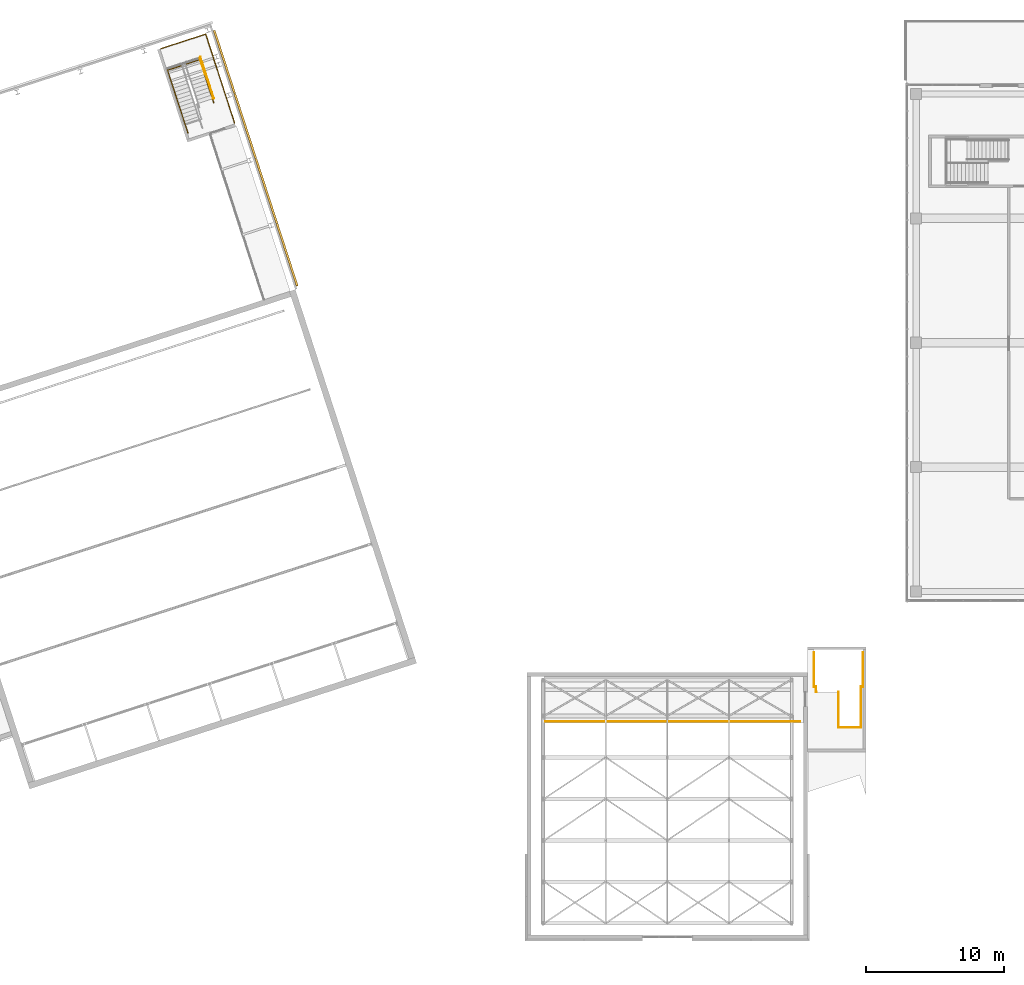
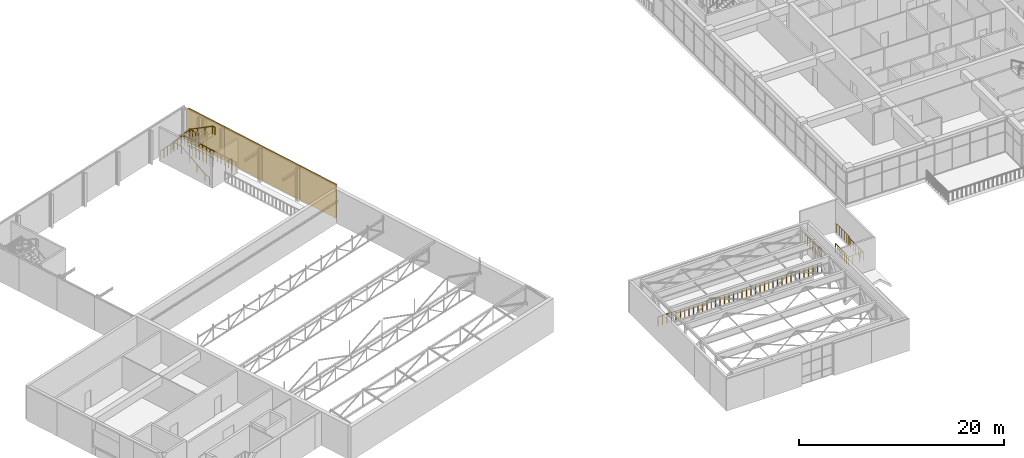
# One storey, part 79 of 81: 8 railings, 4 coverings.
"""IFC4 building model written with IfcOpenShell, lengths in metres."""

from ifc_helpers import new_model, si_unit, direction, frame, origin, origin_2d, place, context, subcontext, project, spatial, polyline, circle, outline, extrude, material, layer, layer_set, type_object, element, save


model = new_model("IFC4")

# Units and contexts
model_context = context("Model", 3, precision=1e-05, world=origin(), true_north=direction((0.0, 1.0)))
body_context = subcontext(model_context, "Body", "Model", "MODEL_VIEW")
ifc_project = project(units=[si_unit("LENGTHUNIT", "METRE"), si_unit("AREAUNIT", "SQUARE_METRE"), si_unit("VOLUMEUNIT", "CUBIC_METRE"), si_unit("PLANEANGLEUNIT", "RADIAN"), si_unit("MASSUNIT", "GRAM", prefix="KILO")], contexts=[model_context])

# Site, building, storey
site_placement = place(None, origin())
site = spatial("IfcSite", under=ifc_project, at=site_placement, CompositionType="ELEMENT")
building_placement = place(site_placement, origin())
building = spatial("IfcBuilding", under=site, at=building_placement, Name="Tuart Plaza Theatre", CompositionType="ELEMENT")
storey_placement = place(building_placement, frame((0.0, 0.0, 17.5)))
storey = spatial("IfcBuildingStorey", under=building, at=storey_placement, Name="L04", CompositionType="ELEMENT", Elevation=17.5)

# Coverings
ifc_material_1 = material(Name="Zinc")
ifc_layer = layer(ifc_material_1, 0.14990234375)
ifc_layer_set = layer_set([ifc_layer], Name="COVERING-ZINC-RAINSCREEN150")
covering_type = type_object("IfcCoveringType", Name="COVERING-ZINC-RAINSCREEN150", PredefinedType="CLADDING", material=ifc_layer_set)
covering_1_placement = place(storey_placement, origin())
element("IfcCovering", 1, at=covering_1_placement, inside=storey, type_object=covering_type, Name="CL26", PredefinedType="CLADDING", context=body_context, shape_type="SweptSolid", body=[
    extrude(outline(polyline([(69.151611328125, 78.084228515625), (67.68701171875, 82.59228515625), (67.82958984375, 82.638671875), (69.29443359375, 78.130615234375), (69.151611328125, 78.084228515625)])), origin(), (0.0, 0.0, 1.0), 4.0),
])
covering_2_placement = place(storey_placement, origin())
element("IfcCovering", 2, at=covering_2_placement, inside=storey, type_object=covering_type, Name="CL27", PredefinedType="CLADDING", context=body_context, shape_type="SweptSolid", body=[
    extrude(outline(polyline([(67.680908203125, 82.611328125), (66.1572265625, 87.300048828125), (66.300048828125, 87.346435546875), (67.823486328125, 82.65771484375), (67.680908203125, 82.611328125)])), origin(), (0.0, 0.0, 1.0), 4.0),
])
covering_3_placement = place(storey_placement, origin())
element("IfcCovering", 3, at=covering_3_placement, inside=storey, type_object=covering_type, Name="CL28", PredefinedType="CLADDING", context=body_context, shape_type="SweptSolid", body=[
    extrude(outline(polyline([(66.151123046875, 87.319091796875), (64.627685546875, 92.0078125), (64.770263671875, 92.05419921875), (66.293701171875, 87.365478515625), (66.151123046875, 87.319091796875)])), origin(), (0.0, 0.0, 1.0), 4.0),
])
covering_4_placement = place(storey_placement, origin())
element("IfcCovering", 4, at=covering_4_placement, inside=storey, type_object=covering_type, Name="CL29", PredefinedType="CLADDING", context=body_context, shape_type="SweptSolid", body=[
    extrude(outline(polyline([(64.62158203125, 92.02685546875), (63.141357421875, 96.582275390625), (63.283935546875, 96.628662109375), (64.76416015625, 92.072998046875), (64.62158203125, 92.02685546875)])), origin(), (0.0, 0.0, 1.0), 4.0),
])

# Railings
ifc_material_2 = material(Name="Steel Grade C350L0", Category="steel")
railing_type_1 = type_object("IfcRailingType", Name="RAILING Guard 1100", PredefinedType="GUARDRAIL", material=ifc_material_2)
railing_1_placement = place(storey_placement, frame((62.21435546875, 94.661865234375, 0.0)))
element("IfcRailing", 5, at=railing_1_placement, inside=storey, type_object=railing_type_1, Name="GR84", PredefinedType="GUARDRAIL", context=body_context, shape_type="SweptSolid", body=[
    extrude(circle(Radius=0.02490234375, at=origin_2d()), frame((0.0, 0.0, 1.0751953125), z_axis=(0.30901175762, -0.951058217804, 0.0), x_axis=(0.951058217804, 0.30901175762, 0.0)), (0.0, 0.0, 1.0), 3.119873046875),
    extrude(circle(Radius=0.02490234375, at=origin_2d()), frame((0.964111328125, -2.96728515625, 1.0751953125), z_axis=(-0.950834228174, -0.309700291463, 0.0), x_axis=(0.309700291463, -0.950834228174, 0.0)), (0.0, 0.0, 1.0), 0.044921875),
    extrude(circle(Radius=0.02001953125, at=origin_2d()), origin(), (0.0, 0.0, 1.0), 1.050048828125),
    extrude(circle(Radius=0.02001953125, at=origin_2d()), frame((0.1376953125, -0.423828125, 0.0)), (0.0, 0.0, 1.0), 1.050048828125),
    extrude(circle(Radius=0.02001953125, at=origin_2d()), frame((0.275390625, -0.847900390625, 0.0)), (0.0, 0.0, 1.0), 1.050048828125),
    extrude(circle(Radius=0.02001953125, at=origin_2d()), frame((0.4130859375, -1.271728515625, 0.0)), (0.0, 0.0, 1.0), 1.050048828125),
    extrude(circle(Radius=0.02001953125, at=origin_2d()), frame((0.551025390625, -1.695556640625, 0.0)), (0.0, 0.0, 1.0), 1.050048828125),
    extrude(circle(Radius=0.02001953125, at=origin_2d()), frame((0.688720703125, -2.119384765625, 0.0)), (0.0, 0.0, 1.0), 1.050048828125),
    extrude(circle(Radius=0.02001953125, at=origin_2d()), frame((0.826416015625, -2.54345703125, 0.0)), (0.0, 0.0, 1.0), 1.050048828125),
    extrude(circle(Radius=0.02001953125, at=origin_2d()), frame((0.964111328125, -2.96728515625, 0.0)), (0.0, 0.0, 1.0), 1.050048828125),
    extrude(circle(Radius=0.02001953125, at=origin_2d()), frame((0.92138671875, -2.981201171875, 0.0)), (0.0, 0.0, 1.0), 1.050048828125),
])
railing_2_placement = place(storey_placement, frame((62.182373046875, 94.598876953125, 2.0)))
element("IfcRailing", 6, at=railing_2_placement, inside=storey, type_object=railing_type_1, Name="GR91", PredefinedType="GUARDRAIL", context=body_context, shape_type="SweptSolid", body=[
    extrude(circle(Radius=0.02490234375, at=origin_2d()), frame((0.0, 0.0, 1.0751953125), z_axis=(0.309072606719, -0.951038444952, 0.0), x_axis=(0.951038444952, 0.309072606719, 0.0)), (0.0, 0.0, 1.0), 1.22998046875),
    extrude(circle(Radius=0.02001953125, at=origin_2d()), origin(), (0.0, 0.0, 1.0), 1.050048828125),
    extrude(circle(Radius=0.02001953125, at=origin_2d()), frame((0.126708984375, -0.389892578125, 0.0)), (0.0, 0.0, 1.0), 1.050048828125),
    extrude(circle(Radius=0.02001953125, at=origin_2d()), frame((0.25341796875, -0.77978515625, 0.0)), (0.0, 0.0, 1.0), 1.050048828125),
    extrude(circle(Radius=0.02001953125, at=origin_2d()), frame((0.380126953125, -1.169677734375, 0.0)), (0.0, 0.0, 1.0), 1.050048828125),
])
railing_3_placement = place(storey_placement, frame((64.69384765625, 89.894775390625, 0.0)))
element("IfcRailing", 7, at=railing_3_placement, inside=storey, type_object=railing_type_1, Name="GR106", PredefinedType="GUARDRAIL", context=body_context, shape_type="SweptSolid", body=[
    extrude(circle(Radius=0.02490234375, at=origin_2d()), frame((0.0, 0.0, 1.0751953125), z_axis=(-0.309029765674, 0.951052366554, 0.0), x_axis=(-0.951052366554, -0.309029765674, 0.0)), (0.0, 0.0, 1.0), 6.764892578125),
    extrude(circle(Radius=0.02490234375, at=origin_2d()), frame((-2.090576171875, 6.433837890625, 1.0751953125), z_axis=(-0.951065061555, -0.308990693531, 0.0), x_axis=(0.308990693531, -0.951065061555, 0.0)), (0.0, 0.0, 1.0), 3.414794921875),
    extrude(circle(Radius=0.02001953125, at=origin_2d()), origin(), (0.0, 0.0, 1.0), 1.050048828125),
    extrude(circle(Radius=0.02001953125, at=origin_2d()), frame((-0.1494140625, 0.45947265625, 0.0)), (0.0, 0.0, 1.0), 1.050048828125),
    extrude(circle(Radius=0.02001953125, at=origin_2d()), frame((-0.298583984375, 0.919189453125, 0.0)), (0.0, 0.0, 1.0), 1.050048828125),
    extrude(circle(Radius=0.02001953125, at=origin_2d()), frame((-0.447998046875, 1.378662109375, 0.0)), (0.0, 0.0, 1.0), 1.050048828125),
    extrude(circle(Radius=0.02001953125, at=origin_2d()), frame((-0.597412109375, 1.838134765625, 0.0)), (0.0, 0.0, 1.0), 1.050048828125),
    extrude(circle(Radius=0.02001953125, at=origin_2d()), frame((-0.74658203125, 2.2978515625, 0.0)), (0.0, 0.0, 1.0), 1.050048828125),
    extrude(circle(Radius=0.02001953125, at=origin_2d()), frame((-0.89599609375, 2.75732421875, 0.0)), (0.0, 0.0, 1.0), 1.050048828125),
    extrude(circle(Radius=0.02001953125, at=origin_2d()), frame((-1.04541015625, 3.216796875, 0.0)), (0.0, 0.0, 1.0), 1.050048828125),
    extrude(circle(Radius=0.02001953125, at=origin_2d()), frame((-1.194580078125, 3.676513671875, 0.0)), (0.0, 0.0, 1.0), 1.050048828125),
    extrude(circle(Radius=0.02001953125, at=origin_2d()), frame((-1.343994140625, 4.135986328125, 0.0)), (0.0, 0.0, 1.0), 1.050048828125),
    extrude(circle(Radius=0.02001953125, at=origin_2d()), frame((-1.4931640625, 4.595703125, 0.0)), (0.0, 0.0, 1.0), 1.050048828125),
    extrude(circle(Radius=0.02001953125, at=origin_2d()), frame((-1.642578125, 5.05517578125, 0.0)), (0.0, 0.0, 1.0), 1.050048828125),
    extrude(circle(Radius=0.02001953125, at=origin_2d()), frame((-1.7919921875, 5.5146484375, 0.0)), (0.0, 0.0, 1.0), 1.050048828125),
    extrude(circle(Radius=0.02001953125, at=origin_2d()), frame((-1.941162109375, 5.974365234375, 0.0)), (0.0, 0.0, 1.0), 1.050048828125),
    extrude(circle(Radius=0.02001953125, at=origin_2d()), frame((-2.090576171875, 6.433837890625, 0.0)), (0.0, 0.0, 1.0), 1.050048828125),
    extrude(circle(Radius=0.02001953125, at=origin_2d()), frame((-2.554443359375, 6.283203125, 0.0)), (0.0, 0.0, 1.0), 1.050048828125),
    extrude(circle(Radius=0.02001953125, at=origin_2d()), frame((-3.0185546875, 6.13232421875, 0.0)), (0.0, 0.0, 1.0), 1.050048828125),
    extrude(circle(Radius=0.02001953125, at=origin_2d()), frame((-3.482421875, 5.981689453125, 0.0)), (0.0, 0.0, 1.0), 1.050048828125),
    extrude(circle(Radius=0.02001953125, at=origin_2d()), frame((-3.946533203125, 5.830810546875, 0.0)), (0.0, 0.0, 1.0), 1.050048828125),
    extrude(circle(Radius=0.02001953125, at=origin_2d()), frame((-4.410400390625, 5.68017578125, 0.0)), (0.0, 0.0, 1.0), 1.050048828125),
    extrude(circle(Radius=0.02001953125, at=origin_2d()), frame((-4.87451171875, 5.529296875, 0.0)), (0.0, 0.0, 1.0), 1.050048828125),
    extrude(circle(Radius=0.02001953125, at=origin_2d()), frame((-5.33837890625, 5.378662109375, 0.0)), (0.0, 0.0, 1.0), 1.050048828125),
])
railing_4_placement = place(storey_placement, frame((108.3798828125, 46.159912109375, 0.0)))
element("IfcRailing", 8, at=railing_4_placement, inside=storey, type_object=railing_type_1, Name="GR155", PredefinedType="GUARDRAIL", context=body_context, shape_type="SweptSolid", body=[
    extrude(circle(Radius=0.02490234375, at=origin_2d()), frame((0.0, 0.0, 1.0751953125), z_axis=(0.0, 1.0, 0.0), x_axis=(-1.0, 0.0, 0.0)), (0.0, 0.0, 1.0), 2.5751953125),
    extrude(circle(Radius=0.02001953125, at=origin_2d()), origin(), (0.0, 0.0, 1.0), 1.050048828125),
    extrude(circle(Radius=0.02001953125, at=origin_2d()), frame((0.0, 0.42919921875, 0.0)), (0.0, 0.0, 1.0), 1.050048828125),
    extrude(circle(Radius=0.02001953125, at=origin_2d()), frame((0.0, 0.8583984375, 0.0)), (0.0, 0.0, 1.0), 1.050048828125),
    extrude(circle(Radius=0.02001953125, at=origin_2d()), frame((0.0, 1.28759765625, 0.0)), (0.0, 0.0, 1.0), 1.050048828125),
    extrude(circle(Radius=0.02001953125, at=origin_2d()), frame((0.0, 1.716796875, 0.0)), (0.0, 0.0, 1.0), 1.050048828125),
    extrude(circle(Radius=0.02001953125, at=origin_2d()), frame((0.0, 2.14599609375, 0.0)), (0.0, 0.0, 1.0), 1.050048828125),
    extrude(circle(Radius=0.02001953125, at=origin_2d()), frame((0.0, 2.5751953125, 0.0)), (0.0, 0.0, 1.0), 1.050048828125),
])
railing_5_placement = place(storey_placement, frame((106.800048828125, 48.739990234375, 0.0)))
element("IfcRailing", 9, at=railing_5_placement, inside=storey, type_object=railing_type_1, Name="GR159", PredefinedType="GUARDRAIL", context=body_context, shape_type="SweptSolid", body=[
    extrude(circle(Radius=0.02490234375, at=origin_2d()), frame((0.0, 0.0, 1.0751953125), z_axis=(-1.0, 0.0, 0.0), x_axis=(0.0, -1.0, 0.0)), (0.0, 0.0, 1.0), 0.045166015625),
    extrude(circle(Radius=0.02490234375, at=origin_2d()), frame((-0.045166015625, 0.0, 1.0751953125), z_axis=(0.0, 1.0, 0.0), x_axis=(-1.0, 0.0, 0.0)), (0.0, 0.0, 1.0), 0.3701171875),
    extrude(circle(Radius=0.02490234375, at=origin_2d()), frame((-0.045166015625, 0.3701171875, 1.0751953125), z_axis=(-1.0, 0.0, 0.0), x_axis=(0.0, -1.0, 0.0)), (0.0, 0.0, 1.0), 0.15478515625),
    extrude(circle(Radius=0.02490234375, at=origin_2d()), frame((-0.199951171875, 0.3701171875, 1.0751953125), z_axis=(0.0, 1.0, 0.0), x_axis=(-1.0, 0.0, 0.0)), (0.0, 0.0, 1.0), 2.489990234375),
    extrude(circle(Radius=0.02001953125, at=origin_2d()), origin(), (0.0, 0.0, 1.0), 1.050048828125),
    extrude(circle(Radius=0.02001953125, at=origin_2d()), frame((-0.045166015625, 0.0, 0.0)), (0.0, 0.0, 1.0), 1.050048828125),
    extrude(circle(Radius=0.02001953125, at=origin_2d()), frame((-0.045166015625, 0.3701171875, 0.0)), (0.0, 0.0, 1.0), 1.050048828125),
    extrude(circle(Radius=0.02001953125, at=origin_2d()), frame((-0.199951171875, 0.3701171875, 0.0)), (0.0, 0.0, 1.0), 1.050048828125),
    extrude(circle(Radius=0.02001953125, at=origin_2d()), frame((-0.199951171875, 0.8681640625, 0.0)), (0.0, 0.0, 1.0), 1.050048828125),
    extrude(circle(Radius=0.02001953125, at=origin_2d()), frame((-0.199951171875, 1.3662109375, 0.0)), (0.0, 0.0, 1.0), 1.050048828125),
    extrude(circle(Radius=0.02001953125, at=origin_2d()), frame((-0.199951171875, 1.864013671875, 0.0)), (0.0, 0.0, 1.0), 1.050048828125),
    extrude(circle(Radius=0.02001953125, at=origin_2d()), frame((-0.199951171875, 2.362060546875, 0.0)), (0.0, 0.0, 1.0), 1.050048828125),
    extrude(circle(Radius=0.02001953125, at=origin_2d()), frame((-0.199951171875, 2.860107421875, 0.0)), (0.0, 0.0, 1.0), 1.050048828125),
])
railing_6_placement = place(storey_placement, frame((110.159912109375, 51.60009765625, 0.0)))
element("IfcRailing", 10, at=railing_6_placement, inside=storey, type_object=railing_type_1, Name="GR160", PredefinedType="GUARDRAIL", context=body_context, shape_type="SweptSolid", body=[
    extrude(circle(Radius=0.02490234375, at=origin_2d()), frame((0.0, 0.0, 1.0751953125), z_axis=(0.0, -1.0, 0.0), x_axis=(1.0, 0.0, 0.0)), (0.0, 0.0, 1.0), 2.489990234375),
    extrude(circle(Radius=0.02490234375, at=origin_2d()), frame((0.0, -2.489990234375, 1.0751953125), z_axis=(-1.0, 0.0, 0.0), x_axis=(0.0, -1.0, 0.0)), (0.0, 0.0, 1.0), 0.155029296875),
    extrude(circle(Radius=0.02490234375, at=origin_2d()), frame((-0.155029296875, -2.489990234375, 1.0751953125), z_axis=(0.0, -1.0, 0.0), x_axis=(1.0, 0.0, 0.0)), (0.0, 0.0, 1.0), 2.9501953125),
    extrude(circle(Radius=0.02490234375, at=origin_2d()), frame((-0.155029296875, -5.440185546875, 1.0751953125), z_axis=(-1.0, 0.0, 0.0), x_axis=(0.0, -1.0, 0.0)), (0.0, 0.0, 1.0), 1.625),
    extrude(circle(Radius=0.02001953125, at=origin_2d()), origin(), (0.0, 0.0, 1.0), 1.050048828125),
    extrude(circle(Radius=0.02001953125, at=origin_2d()), frame((0.0, -0.498046875, 0.0)), (0.0, 0.0, 1.0), 1.050048828125),
    extrude(circle(Radius=0.02001953125, at=origin_2d()), frame((0.0, -0.99609375, 0.0)), (0.0, 0.0, 1.0), 1.050048828125),
    extrude(circle(Radius=0.02001953125, at=origin_2d()), frame((0.0, -1.493896484375, 0.0)), (0.0, 0.0, 1.0), 1.050048828125),
    extrude(circle(Radius=0.02001953125, at=origin_2d()), frame((0.0, -1.991943359375, 0.0)), (0.0, 0.0, 1.0), 1.050048828125),
    extrude(circle(Radius=0.02001953125, at=origin_2d()), frame((0.0, -2.489990234375, 0.0)), (0.0, 0.0, 1.0), 1.050048828125),
    extrude(circle(Radius=0.02001953125, at=origin_2d()), frame((-0.155029296875, -2.489990234375, 0.0)), (0.0, 0.0, 1.0), 1.050048828125),
    extrude(circle(Radius=0.02001953125, at=origin_2d()), frame((-0.155029296875, -2.981689453125, 0.0)), (0.0, 0.0, 1.0), 1.050048828125),
    extrude(circle(Radius=0.02001953125, at=origin_2d()), frame((-0.155029296875, -3.473388671875, 0.0)), (0.0, 0.0, 1.0), 1.050048828125),
    extrude(circle(Radius=0.02001953125, at=origin_2d()), frame((-0.155029296875, -3.965087890625, 0.0)), (0.0, 0.0, 1.0), 1.050048828125),
    extrude(circle(Radius=0.02001953125, at=origin_2d()), frame((-0.155029296875, -4.456787109375, 0.0)), (0.0, 0.0, 1.0), 1.050048828125),
    extrude(circle(Radius=0.02001953125, at=origin_2d()), frame((-0.155029296875, -4.948486328125, 0.0)), (0.0, 0.0, 1.0), 1.050048828125),
    extrude(circle(Radius=0.02001953125, at=origin_2d()), frame((-0.155029296875, -5.440185546875, 0.0)), (0.0, 0.0, 1.0), 1.050048828125),
    extrude(circle(Radius=0.02001953125, at=origin_2d()), frame((-0.561279296875, -5.440185546875, 0.0)), (0.0, 0.0, 1.0), 1.050048828125),
    extrude(circle(Radius=0.02001953125, at=origin_2d()), frame((-0.967529296875, -5.440185546875, 0.0)), (0.0, 0.0, 1.0), 1.050048828125),
    extrude(circle(Radius=0.02001953125, at=origin_2d()), frame((-1.373779296875, -5.440185546875, 0.0)), (0.0, 0.0, 1.0), 1.050048828125),
    extrude(circle(Radius=0.02001953125, at=origin_2d()), frame((-1.780029296875, -5.440185546875, 0.0)), (0.0, 0.0, 1.0), 1.050048828125),
])
railing_7_placement = place(storey_placement, frame((87.199951171875, 46.60009765625, 0.0)))
element("IfcRailing", 11, at=railing_7_placement, inside=storey, type_object=railing_type_1, Name="GR199", PredefinedType="GUARDRAIL", context=body_context, shape_type="SweptSolid", body=[
    extrude(circle(Radius=0.02490234375, at=origin_2d()), frame((0.0, 0.0, 1.0751953125), z_axis=(1.0, 0.0, 0.0), x_axis=(0.0, 1.0, 0.0)), (0.0, 0.0, 1.0), 18.400146484375),
    extrude(circle(Radius=0.02001953125, at=origin_2d()), origin(), (0.0, 0.0, 1.0), 1.050048828125),
    extrude(circle(Radius=0.02001953125, at=origin_2d()), frame((0.497314453125, 0.0, 0.0)), (0.0, 0.0, 1.0), 1.050048828125),
    extrude(circle(Radius=0.02001953125, at=origin_2d()), frame((0.99462890625, 0.0, 0.0)), (0.0, 0.0, 1.0), 1.050048828125),
    extrude(circle(Radius=0.02001953125, at=origin_2d()), frame((1.491943359375, 0.0, 0.0)), (0.0, 0.0, 1.0), 1.050048828125),
    extrude(circle(Radius=0.02001953125, at=origin_2d()), frame((1.9892578125, 0.0, 0.0)), (0.0, 0.0, 1.0), 1.050048828125),
    extrude(circle(Radius=0.02001953125, at=origin_2d()), frame((2.486572265625, 0.0, 0.0)), (0.0, 0.0, 1.0), 1.050048828125),
    extrude(circle(Radius=0.02001953125, at=origin_2d()), frame((2.98388671875, 0.0, 0.0)), (0.0, 0.0, 1.0), 1.050048828125),
    extrude(circle(Radius=0.02001953125, at=origin_2d()), frame((3.481201171875, 0.0, 0.0)), (0.0, 0.0, 1.0), 1.050048828125),
    extrude(circle(Radius=0.02001953125, at=origin_2d()), frame((3.978515625, 0.0, 0.0)), (0.0, 0.0, 1.0), 1.050048828125),
    extrude(circle(Radius=0.02001953125, at=origin_2d()), frame((4.475830078125, 0.0, 0.0)), (0.0, 0.0, 1.0), 1.050048828125),
    extrude(circle(Radius=0.02001953125, at=origin_2d()), frame((4.972900390625, 0.0, 0.0)), (0.0, 0.0, 1.0), 1.050048828125),
    extrude(circle(Radius=0.02001953125, at=origin_2d()), frame((5.47021484375, 0.0, 0.0)), (0.0, 0.0, 1.0), 1.050048828125),
    extrude(circle(Radius=0.02001953125, at=origin_2d()), frame((5.967529296875, 0.0, 0.0)), (0.0, 0.0, 1.0), 1.050048828125),
    extrude(circle(Radius=0.02001953125, at=origin_2d()), frame((6.46484375, 0.0, 0.0)), (0.0, 0.0, 1.0), 1.050048828125),
    extrude(circle(Radius=0.02001953125, at=origin_2d()), frame((6.962158203125, 0.0, 0.0)), (0.0, 0.0, 1.0), 1.050048828125),
    extrude(circle(Radius=0.02001953125, at=origin_2d()), frame((7.45947265625, 0.0, 0.0)), (0.0, 0.0, 1.0), 1.050048828125),
    extrude(circle(Radius=0.02001953125, at=origin_2d()), frame((7.956787109375, 0.0, 0.0)), (0.0, 0.0, 1.0), 1.050048828125),
    extrude(circle(Radius=0.02001953125, at=origin_2d()), frame((8.4541015625, 0.0, 0.0)), (0.0, 0.0, 1.0), 1.050048828125),
    extrude(circle(Radius=0.02001953125, at=origin_2d()), frame((8.951416015625, 0.0, 0.0)), (0.0, 0.0, 1.0), 1.050048828125),
    extrude(circle(Radius=0.02001953125, at=origin_2d()), frame((9.44873046875, 0.0, 0.0)), (0.0, 0.0, 1.0), 1.050048828125),
    extrude(circle(Radius=0.02001953125, at=origin_2d()), frame((9.946044921875, 0.0, 0.0)), (0.0, 0.0, 1.0), 1.050048828125),
    extrude(circle(Radius=0.02001953125, at=origin_2d()), frame((10.443359375, 0.0, 0.0)), (0.0, 0.0, 1.0), 1.050048828125),
    extrude(circle(Radius=0.02001953125, at=origin_2d()), frame((10.940673828125, 0.0, 0.0)), (0.0, 0.0, 1.0), 1.050048828125),
    extrude(circle(Radius=0.02001953125, at=origin_2d()), frame((11.43798828125, 0.0, 0.0)), (0.0, 0.0, 1.0), 1.050048828125),
    extrude(circle(Radius=0.02001953125, at=origin_2d()), frame((11.935302734375, 0.0, 0.0)), (0.0, 0.0, 1.0), 1.050048828125),
    extrude(circle(Radius=0.02001953125, at=origin_2d()), frame((12.4326171875, 0.0, 0.0)), (0.0, 0.0, 1.0), 1.050048828125),
    extrude(circle(Radius=0.02001953125, at=origin_2d()), frame((12.929931640625, 0.0, 0.0)), (0.0, 0.0, 1.0), 1.050048828125),
    extrude(circle(Radius=0.02001953125, at=origin_2d()), frame((13.42724609375, 0.0, 0.0)), (0.0, 0.0, 1.0), 1.050048828125),
    extrude(circle(Radius=0.02001953125, at=origin_2d()), frame((13.92431640625, 0.0, 0.0)), (0.0, 0.0, 1.0), 1.050048828125),
    extrude(circle(Radius=0.02001953125, at=origin_2d()), frame((14.421630859375, 0.0, 0.0)), (0.0, 0.0, 1.0), 1.050048828125),
    extrude(circle(Radius=0.02001953125, at=origin_2d()), frame((14.9189453125, 0.0, 0.0)), (0.0, 0.0, 1.0), 1.050048828125),
    extrude(circle(Radius=0.02001953125, at=origin_2d()), frame((15.416259765625, 0.0, 0.0)), (0.0, 0.0, 1.0), 1.050048828125),
    extrude(circle(Radius=0.02001953125, at=origin_2d()), frame((15.91357421875, 0.0, 0.0)), (0.0, 0.0, 1.0), 1.050048828125),
    extrude(circle(Radius=0.02001953125, at=origin_2d()), frame((16.410888671875, 0.0, 0.0)), (0.0, 0.0, 1.0), 1.050048828125),
    extrude(circle(Radius=0.02001953125, at=origin_2d()), frame((16.908203125, 0.0, 0.0)), (0.0, 0.0, 1.0), 1.050048828125),
    extrude(circle(Radius=0.02001953125, at=origin_2d()), frame((17.405517578125, 0.0, 0.0)), (0.0, 0.0, 1.0), 1.050048828125),
    extrude(circle(Radius=0.02001953125, at=origin_2d()), frame((17.90283203125, 0.0, 0.0)), (0.0, 0.0, 1.0), 1.050048828125),
    extrude(circle(Radius=0.02001953125, at=origin_2d()), frame((18.400146484375, 0.0, 0.0)), (0.0, 0.0, 1.0), 1.050048828125),
])
ifc_material_3 = material(Name="Steel Grade C350L0", Category="steel")
railing_type_2 = type_object("IfcRailingType", Name="RAILING Handrail 900", PredefinedType="HANDRAIL", material=ifc_material_3)
railing_8_placement = place(storey_placement, frame((61.315673828125, 89.17578125, 0.0)))
element("IfcRailing", 12, at=railing_8_placement, inside=storey, type_object=railing_type_2, Name="HR50", PredefinedType="HANDRAIL", context=body_context, shape_type="SweptSolid", body=[
    extrude(circle(Radius=0.0224609375, at=origin_2d()), frame((0.0, 0.0, 0.87744140625), z_axis=(-0.297609553916, 0.916355108697, 0.267809387779), x_axis=(-0.951096855055, -0.308892816854, 0.0)), (0.0, 0.0, 1.0), 0.62255859375),
    extrude(circle(Radius=0.0224609375, at=origin_2d()), frame((-0.185302734375, 0.570556640625, 1.044189453125), z_axis=(-0.265576727582, 0.817232515395, 0.511468491257), x_axis=(-0.951042223598, -0.309060979314, 0.0)), (0.0, 0.0, 1.0), 3.584228515625),
    extrude(circle(Radius=0.0224609375, at=origin_2d()), frame((-1.13720703125, 3.499755859375, 2.87744140625), z_axis=(-0.308960600764, 0.951074837842, 0.0), x_axis=(-0.951074837842, -0.308960600764, 0.0)), (0.0, 0.0, 1.0), 1.099853515625),
    extrude(circle(Radius=0.0224609375, at=origin_2d()), frame((-1.47705078125, 4.5458984375, 2.87744140625), z_axis=(0.947034141024, 0.307706713256, 0.091885332627), x_axis=(-0.309013967595, 0.95105749975, 0.0)), (0.0, 0.0, 1.0), 2.46044921875),
    extrude(circle(Radius=0.0224609375, at=origin_2d()), frame((0.85302734375, 5.302978515625, 3.103515625), z_axis=(0.265549265619, -0.817204632901, 0.511527296921), x_axis=(0.951048517831, 0.309041610033, 0.0)), (0.0, 0.0, 1.0), 3.468017578125),
    extrude(circle(Radius=0.0224609375, at=origin_2d()), frame((1.77392578125, 2.468994140625, 4.87744140625), z_axis=(0.309141257546, -0.951016131768, 0.0), x_axis=(0.951016131768, 0.309141257546, 0.0)), (0.0, 0.0, 1.0), 0.300048828125),
    extrude(circle(Radius=0.01513671875, at=origin_2d()), origin(), (0.0, 0.0, 1.0), 0.85498046875),
    extrude(circle(Radius=0.01513671875, at=origin_2d()), frame((-0.185302734375, 0.570556640625, 0.166748046875)), (0.0, 0.0, 1.0), 0.85498046875),
    extrude(circle(Radius=0.01513671875, at=origin_2d()), frame((-0.502685546875, 1.546875, 0.77783203125)), (0.0, 0.0, 1.0), 0.85498046875),
    extrude(circle(Radius=0.01513671875, at=origin_2d()), frame((-0.81982421875, 2.5234375, 1.388916015625)), (0.0, 0.0, 1.0), 0.85498046875),
    extrude(circle(Radius=0.01513671875, at=origin_2d()), frame((-1.13720703125, 3.499755859375, 2.0)), (0.0, 0.0, 1.0), 0.85498046875),
    extrude(circle(Radius=0.01513671875, at=origin_2d()), frame((-1.47705078125, 4.5458984375, 2.0)), (0.0, 0.0, 1.0), 0.85498046875),
    extrude(circle(Radius=0.01513671875, at=origin_2d()), frame((-0.31201171875, 4.92431640625, 2.113037109375)), (0.0, 0.0, 1.0), 0.85498046875),
    extrude(circle(Radius=0.01513671875, at=origin_2d()), frame((0.85302734375, 5.302978515625, 2.22607421875)), (0.0, 0.0, 1.0), 0.85498046875),
    extrude(circle(Radius=0.01513671875, at=origin_2d()), frame((1.159912109375, 4.3583984375, 2.8173828125)), (0.0, 0.0, 1.0), 0.85498046875),
    extrude(circle(Radius=0.01513671875, at=origin_2d()), frame((1.467041015625, 3.41357421875, 3.40869140625)), (0.0, 0.0, 1.0), 0.85498046875),
    extrude(circle(Radius=0.01513671875, at=origin_2d()), frame((1.77392578125, 2.468994140625, 4.0)), (0.0, 0.0, 1.0), 0.85498046875),
    extrude(circle(Radius=0.01513671875, at=origin_2d()), frame((1.86669921875, 2.18359375, 4.0)), (0.0, 0.0, 1.0), 0.85498046875),
])

save(model, "model.ifc")
